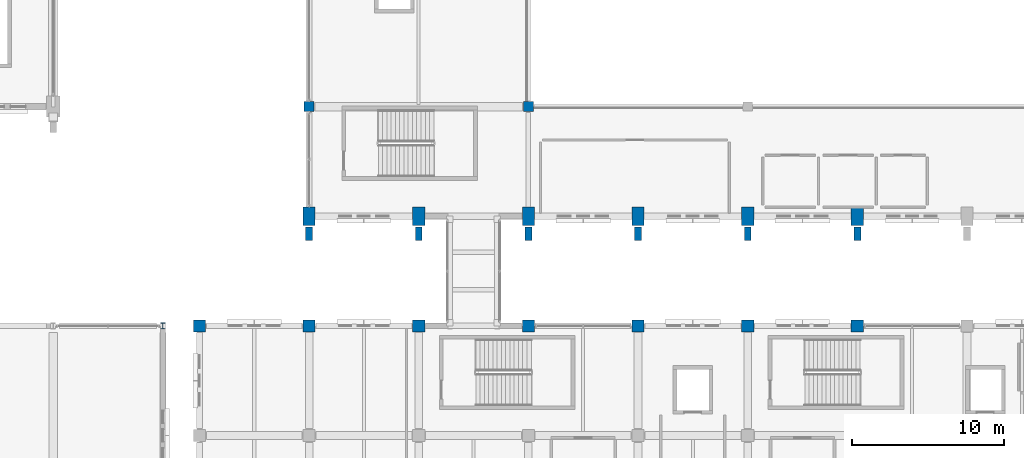
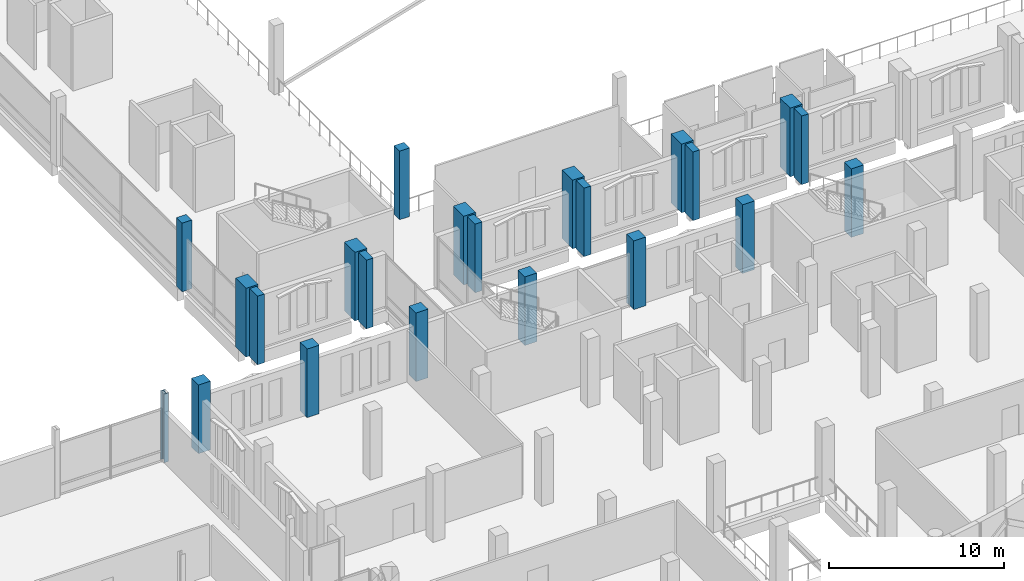
# One storey, part 15 of 220: 22 columns.
"""IFC4 building model written with IfcOpenShell, lengths in metres."""

from ifc_helpers import new_model, si_unit, direction, frame, origin, origin_2d, place, context, subcontext, project, spatial, rectangle, i_section, extrude, material, material_profile, profile_set, type_object, element, save


model = new_model("IFC4")

# Units and contexts
model_context = context("Model", 3, precision=1e-05, world=origin(), true_north=direction((0.0, 1.0)))
body_context = subcontext(model_context, "Body", "Model", "MODEL_VIEW")
ifc_project = project(units=[si_unit("LENGTHUNIT", "METRE"), si_unit("AREAUNIT", "SQUARE_METRE"), si_unit("VOLUMEUNIT", "CUBIC_METRE"), si_unit("PLANEANGLEUNIT", "RADIAN"), si_unit("MASSUNIT", "GRAM", prefix="KILO")], contexts=[model_context])

# Site, building, storey
site_placement = place(None, origin())
site = spatial("IfcSite", under=ifc_project, at=site_placement, CompositionType="ELEMENT")
building_placement = place(site_placement, origin())
building = spatial("IfcBuilding", under=site, at=building_placement, Name="Cendralis Lancet Convention Centre", CompositionType="ELEMENT")
storey_placement = place(building_placement, frame((0.0, 0.0, 5.39990234375)))
storey = spatial("IfcBuildingStorey", under=building, at=storey_placement, Name="L01", CompositionType="ELEMENT", Elevation=5.39990234375)

# Columns
ifc_material_1 = material(Name="Concrete G40 (C40/50)", Category="concrete")
ifc_material_profile_1 = material_profile(ifc_material_1, rectangle(XDim=0.800048828125, YDim=0.800048828125, at=origin_2d()), Name="RC 800x800")
ifc_profile_set_1 = profile_set([ifc_material_profile_1], Name="Concrete G40 (C40/50)")
column_type_1 = type_object("IfcColumnType", Name="STR-COL-C05", PredefinedType="COLUMN", material=ifc_profile_set_1)
for number, where, z_axis, x_axis, name in (
    (1, (132.0, 36.0, 0.0), (0.0, 0.0, 1.0), (1.0, 0.0, 0.0), "L01 Column C05 at 132.0,36.0"),
    (2, (139.199951171875, 36.0, 0.0), (0.0, 0.0, 1.0), (1.0, 0.0, 0.0), "L01 Column C05 at 139.2,36.0"),
    (3, (146.39990234375, 36.0, 0.0), (0.0, 0.0, 1.0), (1.0, 0.0, 0.0), "L01 Column C05 at 146.4,36.0"),
    (4, (153.60009765625, 36.0, 0.0), (0.0, 0.0, 1.0), (1.0, 0.0, 0.0), "L01 Column C05 at 153.6,36.0"),
    (5, (160.800048828125, 36.0, 0.0), (0.0, 0.0, 1.0), (1.0, 0.0, 0.0), "L01 Column C05 at 160.8,36.0"),
    (6, (168.0, 36.0, 0.0), (0.0, 0.0, 1.0), (1.0, 0.0, 0.0), "L01 Column C05 at 168.0,36.0"),
    (7, (175.199951171875, 36.0, 0.0), (0.0, 0.0, 1.0), (1.0, 0.0, 0.0), "L01 Column C05 at 175.2,36.0"),
):
    element("IfcColumn", number, at=place(storey_placement, frame(where, z_axis=z_axis, x_axis=x_axis)), inside=storey, type_object=column_type_1, Name=name, PredefinedType="COLUMN", context=body_context, shape_type="SweptSolid", body=[
        extrude(rectangle(XDim=0.800048828125, YDim=0.800048828125, at=origin_2d()), origin(), (0.0, 0.0, 1.0), 4.800048828125),
    ])
ifc_material_profile_2 = material_profile(ifc_material_1, rectangle(XDim=0.64990234375, YDim=0.64990234375, at=origin_2d()), Name="RC 650x650")
ifc_profile_set_2 = profile_set([ifc_material_profile_2], Name="Concrete G40 (C40/50)")
column_type_2 = type_object("IfcColumnType", Name="STR-COL-C08", PredefinedType="COLUMN", material=ifc_profile_set_2)
column_1_placement = place(storey_placement, frame((139.199951171875, 50.39990234375, 0.0), z_axis=(0.0, 0.0, 1.0), x_axis=(1.0, 0.0, 0.0)))
element("IfcColumn", 8, at=column_1_placement, inside=storey, type_object=column_type_2, Name="L01 Column C08 at 139.2,50.4", PredefinedType="COLUMN", context=body_context, shape_type="SweptSolid", body=[
    extrude(rectangle(XDim=0.64990234375, YDim=0.64990234375, at=origin_2d()), origin(), (0.0, 0.0, 1.0), 4.800048828125),
])
ifc_material_profile_3 = material_profile(ifc_material_1, rectangle(XDim=0.64990234375, YDim=0.64990234375, at=origin_2d()), Name="RC 650x650")
ifc_profile_set_3 = profile_set([ifc_material_profile_3], Name="Concrete G40 (C40/50)")
column_type_3 = type_object("IfcColumnType", Name="STR-COL-C08-INT", PredefinedType="COLUMN", material=ifc_profile_set_3)
column_2_placement = place(storey_placement, frame((153.60009765625, 50.39990234375, 0.0), z_axis=(0.0, 0.0, 1.0), x_axis=(1.0, 0.0, 0.0)))
element("IfcColumn", 9, at=column_2_placement, inside=storey, type_object=column_type_3, Name="L01 Column C08 at 153.6,50.4", PredefinedType="COLUMN", context=body_context, shape_type="SweptSolid", body=[
    extrude(rectangle(XDim=0.64990234375, YDim=0.64990234375, at=origin_2d()), origin(), (0.0, 0.0, 1.0), 4.800048828125),
])
ifc_material_profile_4 = material_profile(ifc_material_1, rectangle(XDim=0.800048828125, YDim=1.199951171875, at=origin_2d()), Name="RC 800x1200")
ifc_profile_set_4 = profile_set([ifc_material_profile_4], Name="Concrete G40 (C40/50)")
column_type_4 = type_object("IfcColumnType", Name="STR-COL-C15", PredefinedType="COLUMN", material=ifc_profile_set_4)
for number, where, z_axis, x_axis, name in (
    (10, (139.199951171875, 43.199951171875, 0.0), (0.0, 0.0, 1.0), (1.0, 0.0, 0.0), "L01 Column C15 at 139.2,43.2"),
    (11, (146.39990234375, 43.199951171875, 0.0), (0.0, 0.0, 1.0), (1.0, 0.0, 0.0), "L01 Column C15 at 146.4,43.2"),
    (12, (153.60009765625, 43.199951171875, 0.0), (0.0, 0.0, 1.0), (1.0, 0.0, 0.0), "L01 Column C15 at 153.6,43.2"),
    (13, (160.800048828125, 43.199951171875, 0.0), (0.0, 0.0, 1.0), (1.0, 0.0, 0.0), "L01 Column C15 at 160.8,43.2"),
    (14, (168.0, 43.199951171875, 0.0), (0.0, 0.0, 1.0), (1.0, 0.0, 0.0), "L01 Column C15 at 168.0,43.2"),
    (15, (175.199951171875, 43.199951171875, 0.0), (0.0, 0.0, 1.0), (1.0, 0.0, 0.0), "L01 Column C15 at 175.2,43.2"),
):
    element("IfcColumn", number, at=place(storey_placement, frame(where, z_axis=z_axis, x_axis=x_axis)), inside=storey, type_object=column_type_4, Name=name, PredefinedType="COLUMN", context=body_context, shape_type="SweptSolid", body=[
        extrude(rectangle(XDim=0.800048828125, YDim=1.199951171875, at=origin_2d()), origin(), (0.0, 0.0, 1.0), 4.800048828125),
    ])
ifc_material_2 = material(Name="Steel S355", Category="steel")
ifc_material_profile_5 = material_profile(ifc_material_2, i_section(OverallWidth=0.300048828125, OverallDepth=0.39990234375, WebThickness=0.013427734375, FlangeThickness=0.02392578125, FilletRadius=0.027099609375, at=origin_2d()), Name="HEB 400")
ifc_profile_set_5 = profile_set([ifc_material_profile_5], Name="Steel S355")
column_type_5 = type_object("IfcColumnType", Name="STR-COL-C25", PredefinedType="COLUMN", material=ifc_profile_set_5)
column_3_placement = place(storey_placement, frame((129.60009765625, 36.0, 0.0), z_axis=(0.0, 0.0, 1.0), x_axis=(1.0, 0.0, 0.0)))
element("IfcColumn", 16, at=column_3_placement, inside=storey, type_object=column_type_5, Name="L01 Column C25 at 129.6,36.0", PredefinedType="COLUMN", context=body_context, shape_type="SweptSolid", body=[
    extrude(i_section(OverallWidth=0.300048828125, OverallDepth=0.39990234375, WebThickness=0.013427734375, FlangeThickness=0.02392578125, FilletRadius=0.027099609375, at=origin_2d()), origin(), (0.0, 0.0, 1.0), 4.800048828125),
])
ifc_material_profile_6 = material_profile(ifc_material_1, rectangle(XDim=0.449951171875, YDim=0.89990234375, at=origin_2d()), Name="RC 450x900")
ifc_profile_set_6 = profile_set([ifc_material_profile_6], Name="Concrete G40 (C40/50)")
column_type_6 = type_object("IfcColumnType", Name="STR-PIL-PL02", PredefinedType="PILASTER", material=ifc_profile_set_6)
for number, where, z_axis, x_axis, name in (
    (17, (139.199951171875, 42.0400390625, 0.0), (0.0, 0.0, 1.0), (1.0, 0.0, 0.0), "L01 Column PL02 at 139.2,42.0"),
    (18, (146.39990234375, 42.0400390625, 0.0), (0.0, 0.0, 1.0), (1.0, 0.0, 0.0), "L01 Column PL02 at 146.4,42.0"),
    (19, (153.60009765625, 42.0400390625, 0.0), (0.0, 0.0, 1.0), (1.0, 0.0, 0.0), "L01 Column PL02 at 153.6,42.0"),
    (20, (160.800048828125, 42.0400390625, 0.0), (0.0, 0.0, 1.0), (1.0, 0.0, 0.0), "L01 Column PL02 at 160.8,42.0"),
    (21, (168.0, 42.0400390625, 0.0), (0.0, 0.0, 1.0), (1.0, 0.0, 0.0), "L01 Column PL02 at 168.0,42.0"),
    (22, (175.199951171875, 42.0400390625, 0.0), (0.0, 0.0, 1.0), (1.0, 0.0, 0.0), "L01 Column PL02 at 175.2,42.0"),
):
    element("IfcColumn", number, at=place(storey_placement, frame(where, z_axis=z_axis, x_axis=x_axis)), inside=storey, type_object=column_type_6, Name=name, PredefinedType="PILASTER", context=body_context, shape_type="SweptSolid", body=[
        extrude(rectangle(XDim=0.449951171875, YDim=0.89990234375, at=origin_2d()), origin(), (0.0, 0.0, 1.0), 4.800048828125),
    ])

save(model, "model.ifc")
